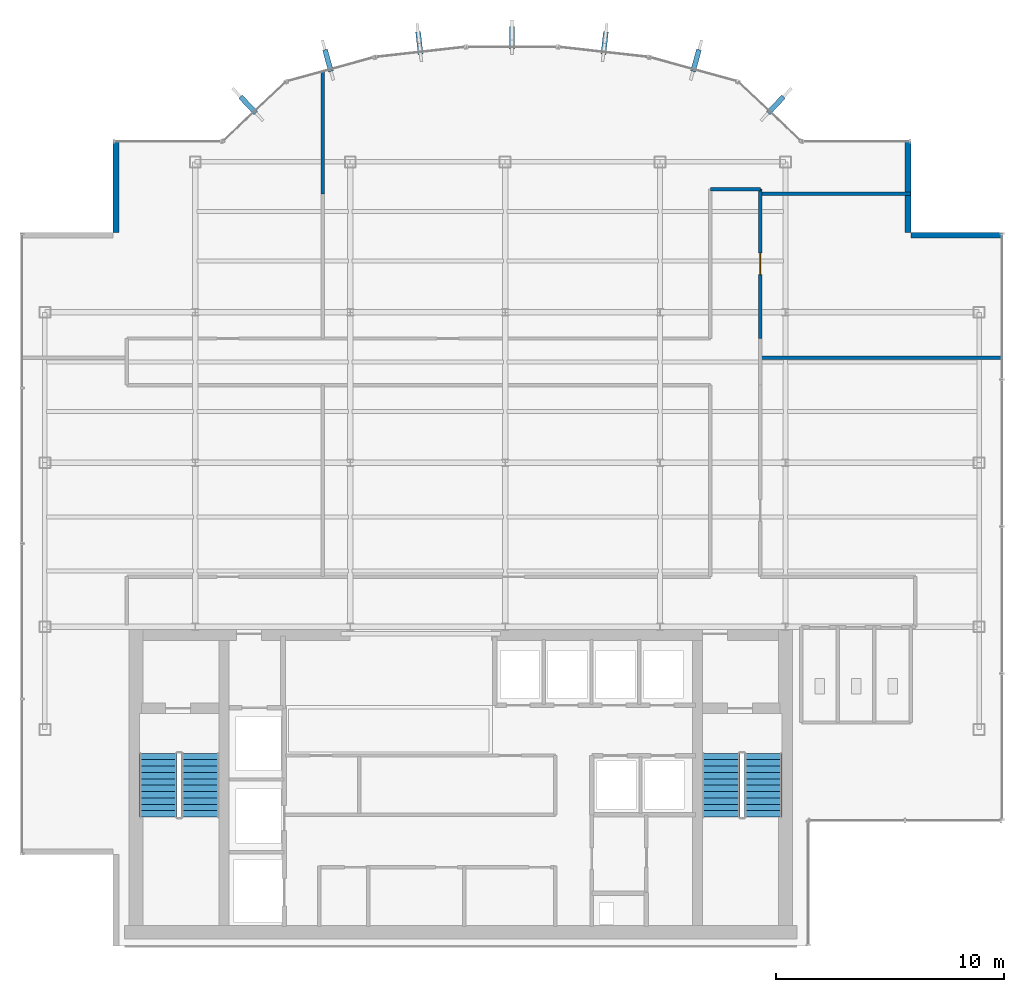
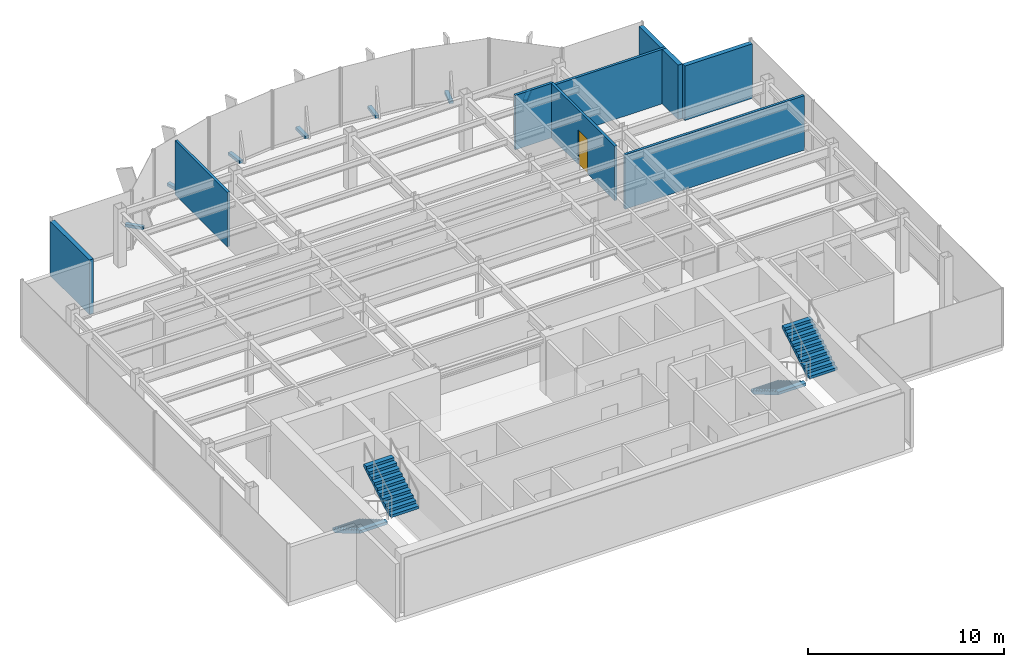
# One storey, part 19 of 22: 8 walls, 7 discrete accessories, 4 stair flights, 1 door, 1 opening, 2 elements without a shape of their own.
"""IFC4 building model written with IfcOpenShell, lengths in metres."""

import ifcopenshell
import ifcopenshell.guid

model = None  # the IFC model being written
_history = None  # IfcOwnerHistory: only IFC2X3 demands one
_inside = {}  # id of a spatial element -> (the spatial element, [elements in it])
_under = {}  # id of a project, library or spatial element -> (it, [spatial elements below it])
_declared = {}  # id of a project -> (the project, [libraries it declares])
_typed = {}  # id of a type object -> (the type object, [elements of that type])
_made_of = {}  # id of a material, layer set ... -> (it, [elements and type objects made of it])


def new_model(schema):
    """Start an empty IFC model of exactly this schema.

    Asked for "IFC4X3", IfcOpenShell would pick the latest addendum, in which some entities
    have other attributes; the version numbers below select the first issue.
    IFC2X3 requires an IfcOwnerHistory on every rooted entity: one is made here for all.
    """
    global model, _history
    if schema == "IFC4X3":
        model = ifcopenshell.file(schema_version=(4, 3, 0, 0))
    else:
        model = ifcopenshell.file(schema=schema)
    _inside.clear()
    _under.clear()
    _declared.clear()
    _typed.clear()
    _made_of.clear()
    _history = None
    if model.schema == "IFC2X3":
        org = make("IfcOrganization", Name="unknown")
        user = make(
            "IfcPersonAndOrganization",
            ThePerson=make("IfcPerson", FamilyName="unknown"),
            TheOrganization=org,
        )
        app = make(
            "IfcApplication",
            ApplicationDeveloper=org,
            Version="unknown",
            ApplicationFullName="unknown",
            ApplicationIdentifier="unknown",
        )
        _history = make(
            "IfcOwnerHistory",
            OwningUser=user,
            OwningApplication=app,
            ChangeAction="ADDED",
            CreationDate=0,
        )
    return model


def make(cls, **values):
    """One entity of the class cls with the attributes given. An attribute that is None is left unset."""
    return model.create_entity(
        cls, **{name: value for name, value in values.items() if value is not None}
    )


def rooted(cls, **values):
    """An entity with a GlobalId (a new one), such as an element, a storey or a relation."""
    return make(cls, GlobalId=ifcopenshell.guid.new(), OwnerHistory=_history, **values)


def si_unit(unit_type, name, prefix=None):
    """IfcSIUnit, for example si_unit("LENGTHUNIT", "METRE", prefix="MILLI")."""
    return make("IfcSIUnit", UnitType=unit_type, Prefix=prefix, Name=name)


def derived_unit(unit_type, elements):
    """IfcDerivedUnit: a product of units, each with its exponent."""
    return make(
        "IfcDerivedUnit",
        Elements=[
            make("IfcDerivedUnitElement", Unit=unit, Exponent=power)
            for unit, power in elements
        ],
        UnitType=unit_type,
    )


def assignment(units):
    """IfcUnitAssignment: the units of a project."""
    return None if units is None else make("IfcUnitAssignment", Units=units)


def point(xyz):
    """IfcCartesianPoint."""
    return None if xyz is None else make("IfcCartesianPoint", Coordinates=xyz)


def direction(xyz):
    """IfcDirection."""
    return None if xyz is None else make("IfcDirection", DirectionRatios=xyz)


def frame(location, z_axis=None, x_axis=None):
    """IfcAxis2Placement3D, a coordinate frame: its origin and axes. An axis left out is left unset."""
    return make(
        "IfcAxis2Placement3D",
        Location=point(location),
        Axis=direction(z_axis),
        RefDirection=direction(x_axis),
    )


def frame_2d(location, x_axis=None):
    """IfcAxis2Placement2D, a coordinate frame in the plane: its origin and x axis."""
    return make(
        "IfcAxis2Placement2D", Location=point(location), RefDirection=direction(x_axis)
    )


def origin():
    """The frame at (0, 0, 0) with its axes left unset."""
    return frame((0.0, 0.0, 0.0))


def origin_2d():
    """The frame at (0, 0) in the plane with its x axis left unset."""
    return frame_2d((0.0, 0.0))


def place(relative_to, where):
    """IfcLocalPlacement: puts the frame where relative to a parent placement (None: the world)."""
    return make(
        "IfcLocalPlacement", PlacementRelTo=relative_to, RelativePlacement=where
    )


def context(
    kind, dimensions, precision=None, world=None, true_north=None, identifier=None
):
    """IfcGeometricRepresentationContext, for example the 3D "Model" context."""
    return make(
        "IfcGeometricRepresentationContext",
        ContextIdentifier=identifier,
        ContextType=kind,
        CoordinateSpaceDimension=dimensions,
        Precision=precision,
        WorldCoordinateSystem=world,
        TrueNorth=true_north,
    )


def subcontext(parent, identifier, kind, view, scale=None):
    """IfcGeometricRepresentationSubContext, for example "Body" below "Model"."""
    return make(
        "IfcGeometricRepresentationSubContext",
        ContextIdentifier=identifier,
        ContextType=kind,
        ParentContext=parent,
        TargetScale=scale,
        TargetView=view,
    )


def project(units=None, contexts=None):
    """IfcProject with its units and contexts."""
    return rooted(
        "IfcProject",
        Name="project",
        RepresentationContexts=contexts,
        UnitsInContext=assignment(units),
    )


def spatial(cls, under=None, at=None, **own):
    """A site, building, storey or space (cls), placed at a placement, below another one or the project."""
    s = rooted(cls, ObjectPlacement=at, **own)
    if under is not None:
        _under.setdefault(under.id(), (under, []))[1].append(s)
    return s


def polyline(points):
    """IfcPolyline through the points."""
    return make("IfcPolyline", Points=[point(p) for p in points])


def profile(cls, at=None, kind="AREA", **sizes):
    """A parametric profile (cls). Its sizes go by their IFC names, for example OverallWidth=200.0."""
    return make(cls, ProfileType=kind, Position=at, **sizes)


def rectangle(**sizes):
    """IfcRectangleProfileDef."""
    return profile("IfcRectangleProfileDef", **sizes)


def outline(outer, holes=None, kind="AREA"):
    """IfcArbitraryClosedProfileDef: a profile drawn as a closed curve; with holes, ...WithVoids."""
    if holes is None:
        return make("IfcArbitraryClosedProfileDef", ProfileType=kind, OuterCurve=outer)
    return make(
        "IfcArbitraryProfileDefWithVoids",
        ProfileType=kind,
        OuterCurve=outer,
        InnerCurves=holes,
    )


def extrude(swept, where, along, depth):
    """IfcExtrudedAreaSolid: the profile swept, set in the frame where, extruded along a direction by depth."""
    return make(
        "IfcExtrudedAreaSolid",
        SweptArea=swept,
        Position=where,
        ExtrudedDirection=direction(along),
        Depth=depth,
    )


def shape(context_of_items, identifier, shape_type, items):
    """IfcShapeRepresentation: the items that make up one representation, for example the "Body"."""
    return make(
        "IfcShapeRepresentation",
        ContextOfItems=context_of_items,
        RepresentationIdentifier=identifier,
        RepresentationType=shape_type,
        Items=items,
    )


def source(mapping_origin, context_of_items, identifier, shape_type, items):
    """IfcRepresentationMap: a shape defined once, which mapped items show again and again."""
    return make(
        "IfcRepresentationMap",
        MappingOrigin=mapping_origin,
        MappedRepresentation=shape(context_of_items, identifier, shape_type, items),
    )


def transform(
    local_origin,
    x_axis=None,
    y_axis=None,
    z_axis=None,
    scale=None,
    scale2=None,
    scale3=None,
    uniform=True,
):
    """IfcCartesianTransformationOperator3D, or its non-uniform kind. x_axis, y_axis, z_axis: its Axis1, 2, 3."""
    if uniform:
        return make(
            "IfcCartesianTransformationOperator3D",
            Axis1=direction(x_axis),
            Axis2=direction(y_axis),
            LocalOrigin=point(local_origin),
            Scale=scale,
            Axis3=direction(z_axis),
        )
    return make(
        "IfcCartesianTransformationOperator3DnonUniform",
        Axis1=direction(x_axis),
        Axis2=direction(y_axis),
        LocalOrigin=point(local_origin),
        Scale=scale,
        Axis3=direction(z_axis),
        Scale2=scale2,
        Scale3=scale3,
    )


def mapped(mapping_source, mapping_target):
    """IfcMappedItem: shows the shape of a source again, moved by a transform."""
    return make(
        "IfcMappedItem", MappingSource=mapping_source, MappingTarget=mapping_target
    )


def material(Name=None, Category=None):
    """IfcMaterial."""
    return make("IfcMaterial", Name=Name, Category=Category)


def layer(
    of_material, thickness, ventilated=None, Name=None, Category=None, Priority=None
):
    """IfcMaterialLayer: one layer of a wall or slab, of a material (None: an air gap)."""
    return make(
        "IfcMaterialLayer",
        Material=of_material,
        LayerThickness=thickness,
        IsVentilated=ventilated,
        Name=Name,
        Category=Category,
        Priority=Priority,
    )


def layer_set(layers, Name=None):
    """IfcMaterialLayerSet."""
    return make("IfcMaterialLayerSet", MaterialLayers=layers, LayerSetName=Name)


def made_of(thing, what):
    """Note that an element or type object is made of a material, layer set ...; save() writes the relation."""
    if what is not None:
        _made_of.setdefault(what.id(), (what, []))[1].append(thing)
    return thing


def type_object(cls, material=None, **own):
    """A type object (cls), such as IfcWallType, which elements share."""
    return made_of(rooted(cls, **own), material)


def element(
    cls,
    number,
    at=None,
    inside=None,
    cuts=None,
    type_object=None,
    material=None,
    context=None,
    identifier="Body",
    shape_type=None,
    held_by="IfcProductDefinitionShape",
    body=None,
    shapes=None,
    **own,
):
    """One element of the class cls, such as IfcWall. Its Tag is "e" and its number.

    at: its placement. inside: the storey or other place that contains it. cuts: it is an
    opening in that element (IfcRelVoidsElement). A single representation is given by context,
    identifier, shape_type and body (its items); several are given by shapes. held_by: the class
    of the entity that holds the representations. save() writes the other relations.
    """
    e = rooted(cls, Tag="e%d" % number, ObjectPlacement=at, **own)
    if body is not None:
        shapes = [shape(context, identifier, shape_type, body)]
    if shapes is not None:
        e.Representation = make(held_by, Representations=shapes)
    if inside is not None:
        _inside.setdefault(inside.id(), (inside, []))[1].append(e)
    if cuts is not None:
        rooted(
            "IfcRelVoidsElement", RelatingBuildingElement=cuts, RelatedOpeningElement=e
        )
    if type_object is not None:
        _typed.setdefault(type_object.id(), (type_object, []))[1].append(e)
    return made_of(e, material)


def fill(opening, filler):
    """IfcRelFillsElement: the door or window that sits in an opening."""
    return rooted(
        "IfcRelFillsElement",
        RelatingOpeningElement=opening,
        RelatedBuildingElement=filler,
    )


def aggregate(whole, parts):
    """IfcRelAggregates: a whole, such as a stair, and the parts it consists of."""
    return rooted("IfcRelAggregates", RelatingObject=whole, RelatedObjects=parts)


def save(model, path):
    """Write the relations noted so far, then the file.

    IfcRelAggregates (storeys below a building ...), IfcRelContainedInSpatialStructure (elements
    in a storey), IfcRelDefinesByType, IfcRelAssociatesMaterial and IfcRelDeclares: one each for
    every whole, place, type object, material and project.
    """
    for whole, parts in _under.values():
        aggregate(whole, parts)
    for where, things in _inside.values():
        rooted(
            "IfcRelContainedInSpatialStructure",
            RelatedElements=things,
            RelatingStructure=where,
        )
    for kind, things in _typed.values():
        rooted("IfcRelDefinesByType", RelatedObjects=things, RelatingType=kind)
    for what, things in _made_of.values():
        rooted("IfcRelAssociatesMaterial", RelatedObjects=things, RelatingMaterial=what)
    for by, libraries in _declared.values():
        rooted("IfcRelDeclares", RelatingContext=by, RelatedDefinitions=libraries)
    model.write(path)


model = new_model("IFC4")

# Units and contexts
model_context = context("Model", 3, precision=1e-05, world=origin(), true_north=direction((0.0, 1.0)))
body_context = subcontext(model_context, "Body", "Model", "MODEL_VIEW")
ifc_project = project(units=[si_unit("LENGTHUNIT", "METRE"), si_unit("AREAUNIT", "SQUARE_METRE"), si_unit("VOLUMEUNIT", "CUBIC_METRE"), si_unit("PLANEANGLEUNIT", "RADIAN"), si_unit("MASSUNIT", "GRAM", prefix="KILO"), derived_unit("THERMALTRANSMITTANCEUNIT", [(si_unit("POWERUNIT", "WATT"), 1), (si_unit("LENGTHUNIT", "METRE"), -2), (si_unit("THERMODYNAMICTEMPERATUREUNIT", "KELVIN"), -1)])], contexts=[model_context])

# Site, building, storey
site_placement = place(None, origin())
site = spatial("IfcSite", under=ifc_project, at=site_placement, CompositionType="ELEMENT")
building_placement = place(site_placement, origin())
building = spatial("IfcBuilding", under=site, at=building_placement, Name="Skarnbrae Concourse Arena and Tower", CompositionType="ELEMENT")
storey_placement = place(building_placement, frame((0.0, 0.0, 221.449951171875)))
storey = spatial("IfcBuildingStorey", under=building, at=storey_placement, Name="L57", CompositionType="ELEMENT", Elevation=221.449951171875)

# Walls
ifc_material_1 = material(Name="Precast concrete 40 MPa (C40/50)", Category="concrete")
ifc_layer_1 = layer(ifc_material_1, 0.25)
ifc_layer_set_1 = layer_set([ifc_layer_1], Name="Precast concrete 40 MPa (C40/50)")
wall_type_1 = type_object("IfcWallType", Name="WALL-EXT-SPANDREL-250", PredefinedType="STANDARD", material=ifc_layer_set_1)
shared_shape_1 = source(origin(), body_context, "Body", "SweptSolid", [
    extrude(rectangle(XDim=4.0, YDim=0.25, at=frame_2d((2.0, 0.0))), origin(), (0.0, 0.0, 1.0), 3.400146484375),
])
for number, where, z_axis, x_axis, name in (
    (1, (43.0, 31.175048828125, 0.0), (0.0, 0.0, 1.0), (-1.0, 0.0, 0.0), "L57 Notched corner insulated return wall 05"),
    (2, (38.875, 31.300048828125, 0.0), (0.0, 0.0, 1.0), (0.0, 1.0, 0.0), "L57 Notched corner insulated return wall 06"),
    (3, (4.125, 35.300048828125, 0.0), (0.0, 0.0, 1.0), (0.0, -1.0, 0.0), "L57 Notched corner insulated return wall 16"),
):
    element("IfcWall", number, at=place(storey_placement, frame(where, z_axis=z_axis, x_axis=x_axis)), inside=storey, type_object=wall_type_1, Name=name, PredefinedType="STANDARD", context=body_context, shape_type="MappedRepresentation", body=[
        mapped(shared_shape_1, transform((0.0, 0.0, 0.0))),
    ])
ifc_material_2 = material(Name="Gypsum board on cold-formed steel studs", Category="steel")
ifc_layer_2 = layer(ifc_material_2, 0.14990234375)
ifc_layer_set_2 = layer_set([ifc_layer_2], Name="Gypsum board on cold-formed steel studs")
wall_type_2 = type_object("IfcWallType", Name="WALL-PART-150-1HR", PredefinedType="PARTITIONING", material=ifc_layer_set_2)
shared_shape_2 = source(origin(), body_context, "Body", "SweptSolid", [
    extrude(rectangle(XDim=2.199951171875, YDim=0.14990234375, at=frame_2d((1.10009765625, 0.0))), origin(), (0.0, 0.0, 1.0), 3.400146484375),
])
wall_1_placement = place(storey_placement, frame((30.199951171875, 33.199951171875, 0.0), z_axis=(0.0, 0.0, 1.0), x_axis=(1.0, 0.0, 0.0)))
element("IfcWall", 4, at=wall_1_placement, inside=storey, type_object=wall_type_2, Name="L57 Interior partition wall W-L57-COR-08", PredefinedType="PARTITIONING", context=body_context, shape_type="MappedRepresentation", body=[
    mapped(shared_shape_2, transform((0.0, 0.0, 0.0))),
])

# Wall, opening, door
shared_shape_3 = source(origin(), body_context, "Body", "SweptSolid", [
    extrude(rectangle(XDim=6.550048828125, YDim=0.14990234375, at=frame_2d((3.27490234375, 0.0))), origin(), (0.0, 0.0, 1.0), 3.400146484375),
])
wall_2_placement = place(storey_placement, frame((32.39990234375, 33.199951171875, 0.0), z_axis=(0.0, 0.0, 1.0), x_axis=(0.0, -1.0, 0.0)))
wall_2 = element("IfcWall", 5, at=wall_2_placement, inside=storey, type_object=wall_type_2, Name="L57 Interior partition wall W-L57-COR-09", PredefinedType="PARTITIONING", context=body_context, shape_type="MappedRepresentation", body=[
    mapped(shared_shape_3, transform((0.0, 0.0, 0.0))),
])
opening_placement = place(wall_2_placement, frame((2.800048828125, 0.0, 0.0)))
opening = element("IfcOpeningElement", 6, at=opening_placement, cuts=wall_2, Name="Opening DT-04", PredefinedType="OPENING", context=body_context, shape_type="SweptSolid", body=[
    extrude(rectangle(XDim=0.949951171875, YDim=2.14990234375, at=frame_2d((0.47509765625, 1.074951171875))), frame((0.0, 0.0849609375, 0.0), z_axis=(0.0, -1.0, 0.0), x_axis=(1.0, 0.0, 0.0)), (0.0, 0.0, 1.0), 0.169921875),
])
ifc_material_3 = material(Name="Steel CSA G40.21 350W", Category="steel")
door_type = type_object("IfcDoorType", Name="DOOR-INT-950-45M", OperationType="NOTDEFINED", PredefinedType="DOOR", material=ifc_material_3)
shared_shape_4 = source(origin(), body_context, "Body", "SweptSolid", [
    extrude(rectangle(XDim=0.949951171875, YDim=2.14990234375, at=frame_2d((0.47509765625, 1.074951171875))), frame((0.0, 0.02490234375, 0.0), z_axis=(0.0, -1.0, 0.0), x_axis=(1.0, 0.0, 0.0)), (0.0, 0.0, 1.0), 0.050048828125),
])
door_placement = place(opening_placement, origin())
door = element("IfcDoor", 7, at=door_placement, inside=storey, type_object=door_type, Name="D-1758 L57 Suite Door 05", OperationType="SINGLE_SWING_LEFT", OverallHeight=2.14990234375, OverallWidth=0.949951171875, PredefinedType="DOOR", context=body_context, shape_type="MappedRepresentation", body=[
    mapped(shared_shape_4, transform((0.0, 0.0, 0.0))),
])
fill(opening, door)

# Walls
ifc_layer_3 = layer(ifc_material_2, 0.14990234375)
ifc_layer_set_3 = layer_set([ifc_layer_3], Name="Gypsum board on cold-formed steel studs")
wall_type_3 = type_object("IfcWallType", Name="WALL-PART-150", PredefinedType="PARTITIONING", material=ifc_layer_set_3)
shared_shape_5 = source(origin(), body_context, "Body", "SweptSolid", [
    extrude(rectangle(XDim=5.349609375, YDim=0.14990234375, at=frame_2d((2.6748046875, 0.0))), origin(), (0.0, 0.0, 1.0), 3.400146484375),
])
wall_3_placement = place(storey_placement, frame((13.199951171875, 38.349609375, 0.0), z_axis=(0.0, 0.0, 1.0), x_axis=(0.0, -1.0, 0.0)))
element("IfcWall", 8, at=wall_3_placement, inside=storey, type_object=wall_type_3, Name="L57 Interior partition wall W-L57-DEM-17", PredefinedType="PARTITIONING", context=body_context, shape_type="MappedRepresentation", body=[
    mapped(shared_shape_5, transform((0.0, 0.0, 0.0))),
])
shared_shape_6 = source(origin(), body_context, "Body", "SweptSolid", [
    extrude(rectangle(XDim=10.580078125, YDim=0.14990234375, at=frame_2d((5.2900390625, 0.0))), origin(), (0.0, 0.0, 1.0), 3.400146484375),
])
wall_4_placement = place(storey_placement, frame((42.97998046875, 25.800048828125, 0.0), z_axis=(0.0, 0.0, 1.0), x_axis=(-1.0, 0.0, 0.0)))
element("IfcWall", 9, at=wall_4_placement, inside=storey, type_object=wall_type_3, Name="L57 Interior partition wall W-L57-DEM-19", PredefinedType="PARTITIONING", context=body_context, shape_type="MappedRepresentation", body=[
    mapped(shared_shape_6, transform((0.0, 0.0, 0.0))),
])
shared_shape_7 = source(origin(), body_context, "Body", "SweptSolid", [
    extrude(rectangle(XDim=6.580078125, YDim=0.14990234375, at=frame_2d((3.2900390625, 0.0))), origin(), (0.0, 0.0, 1.0), 3.400146484375),
])
wall_5_placement = place(storey_placement, frame((38.97998046875, 33.0, 0.0), z_axis=(0.0, 0.0, 1.0), x_axis=(-1.0, 0.0, 0.0)))
element("IfcWall", 10, at=wall_5_placement, inside=storey, type_object=wall_type_3, Name="L57 Interior partition wall W-L57-DEM-20", PredefinedType="PARTITIONING", context=body_context, shape_type="MappedRepresentation", body=[
    mapped(shared_shape_7, transform((0.0, 0.0, 0.0))),
])

# Stair, stair flights
ifc_material_4 = material(Name="Concrete 40 MPa (C40/50)", Category="concrete")
stair_type = type_object("IfcStairType", Name="STAIR-DOGLEG-1650", PredefinedType="HALF_TURN_STAIR", material=ifc_material_4)
stair_1_placement = place(storey_placement, origin())
stair_1 = element("IfcStair", 11, at=stair_1_placement, inside=storey, type_object=stair_type, Name="L57 Protected Exit Stair ST-1", PredefinedType="HALF_TURN_STAIR")
stair_flight_type = type_object("IfcStairFlightType", Name="FLIGHT-STRAIGHT-1650", PredefinedType="STRAIGHT", material=ifc_material_4)
shared_shape_8 = source(origin(), body_context, "Body", "SweptSolid", [
    extrude(outline(polyline([(0.0, 0.0), (0.0, 0.166015625), (0.280029296875, 0.166015625), (0.280029296875, 0.331787109375), (0.56005859375, 0.331787109375), (0.56005859375, 0.497802734375), (0.840087890625, 0.497802734375), (0.840087890625, 0.66357421875), (1.1201171875, 0.66357421875), (1.1201171875, 0.82958984375), (1.39990234375, 0.82958984375), (1.39990234375, 0.995361328125), (1.679931640625, 0.995361328125), (1.679931640625, 1.161376953125), (1.9599609375, 1.161376953125), (1.9599609375, 1.327392578125), (2.239990234375, 1.327392578125), (2.239990234375, 1.4931640625), (2.52001953125, 1.4931640625), (2.52001953125, 1.6591796875), (2.800048828125, 1.6591796875), (2.800048828125, 1.824951171875), (2.800048828125, 1.48486328125), (0.2939453125, 0.0), (0.0, 0.0)])), frame((0.0, 0.824951171875, 0.0), z_axis=(0.0, -1.0, 0.0), x_axis=(1.0, 0.0, 0.0)), (0.0, 0.0, 1.0), 1.64990234375),
])
stair_flight_1_placement = place(storey_placement, frame((5.97509765625, 8.449951171875, 0.0), z_axis=(0.0, 0.0, 1.0), x_axis=(0.0, -1.0, 0.0)))
stair_flight_1 = element("IfcStairFlight", 12, at=stair_flight_1_placement, type_object=stair_flight_type, Name="ST-1 flight 1", NumberOfRisers=11, NumberOfTreads=10, PredefinedType="STRAIGHT", RiserHeight=0.165909091, TreadLength=0.28, context=body_context, shape_type="MappedRepresentation", body=[
    mapped(shared_shape_8, transform((0.0, 0.0, 0.0))),
])
stair_flight_2_placement = place(storey_placement, frame((7.824951171875, 5.64990234375, 1.824951171875), z_axis=(0.0, 0.0, 1.0), x_axis=(0.0, 1.0, 0.0)))
stair_flight_2 = element("IfcStairFlight", 13, at=stair_flight_2_placement, type_object=stair_flight_type, Name="ST-1 flight 2", NumberOfRisers=11, NumberOfTreads=10, PredefinedType="STRAIGHT", RiserHeight=0.165909091, TreadLength=0.28, context=body_context, shape_type="MappedRepresentation", body=[
    mapped(shared_shape_8, transform((0.0, 0.0, 0.0))),
])
aggregate(stair_1, [stair_flight_1, stair_flight_2])

stair_2_placement = place(storey_placement, origin())
stair_2 = element("IfcStair", 14, at=stair_2_placement, inside=storey, type_object=stair_type, Name="L57 Protected Exit Stair ST-2", PredefinedType="HALF_TURN_STAIR")
stair_flight_3_placement = place(storey_placement, frame((30.675048828125, 8.449951171875, 0.0), z_axis=(0.0, 0.0, 1.0), x_axis=(0.0, -1.0, 0.0)))
stair_flight_3 = element("IfcStairFlight", 15, at=stair_flight_3_placement, type_object=stair_flight_type, Name="ST-2 flight 1", NumberOfRisers=11, NumberOfTreads=10, PredefinedType="STRAIGHT", RiserHeight=0.165909091, TreadLength=0.28, context=body_context, shape_type="MappedRepresentation", body=[
    mapped(shared_shape_8, transform((0.0, 0.0, 0.0))),
])
stair_flight_4_placement = place(storey_placement, frame((32.52490234375, 5.64990234375, 1.824951171875), z_axis=(0.0, 0.0, 1.0), x_axis=(0.0, 1.0, 0.0)))
stair_flight_4 = element("IfcStairFlight", 16, at=stair_flight_4_placement, type_object=stair_flight_type, Name="ST-2 flight 2", NumberOfRisers=11, NumberOfTreads=10, PredefinedType="STRAIGHT", RiserHeight=0.165909091, TreadLength=0.28, context=body_context, shape_type="MappedRepresentation", body=[
    mapped(shared_shape_8, transform((0.0, 0.0, 0.0))),
])
aggregate(stair_2, [stair_flight_3, stair_flight_4])

# Discrete accessories
ifc_material_5 = material(Name="Bronze anodised aluminium 6063-T6", Category="aluminium")
discrete_accessory_type = type_object("IfcDiscreteAccessoryType", Name="ACC-FIN-BRACKET", PredefinedType="BRACKET", material=ifc_material_5)
shared_shape_9 = source(origin(), body_context, "Body", "SweptSolid", [
    extrude(rectangle(XDim=0.219970703125, YDim=0.97998046875, at=origin_2d()), origin(), (0.0, 0.0, 1.0), 0.179931640625),
])
for number, where, z_axis, x_axis, name in (
    (17, (33.0791015625, 36.904541015625, -0.02978515625), (0.0, 0.0, 1.0), (0.728131751529, -0.685437198009, 0.0), "L57 Bronze fin foot support bracket 08"),
    (18, (29.573974609375, 38.847412109375, -0.02978515625), (0.0, 0.0, 1.0), (0.964058316208, -0.265690728011, 0.0), "L57 Bronze fin foot support bracket 09"),
    (19, (25.566162109375, 39.619384765625, -0.02978515625), (0.0, 0.0, 1.0), (0.993769864509, -0.111451587667, 0.0), "L57 Bronze fin foot support bracket 10"),
    (20, (21.5, 39.8466796875, -0.02978515625), (0.0, 0.0, 1.0), (1.0, 0.0, 0.0), "L57 Bronze fin foot support bracket 11"),
    (21, (17.433837890625, 39.619384765625, -0.02978515625), (0.0, 0.0, 1.0), (0.993769864509, 0.111451587667, 0.0), "L57 Bronze fin foot support bracket 12"),
    (22, (13.426025390625, 38.847412109375, -0.02978515625), (0.0, 0.0, 1.0), (0.964058316208, 0.265690728011, 0.0), "L57 Bronze fin foot support bracket 13"),
    (23, (9.9208984375, 36.904541015625, -0.02978515625), (0.0, 0.0, 1.0), (0.728131751529, 0.685437198009, 0.0), "L57 Bronze fin foot support bracket 14"),
):
    element("IfcDiscreteAccessory", number, at=place(storey_placement, frame(where, z_axis=z_axis, x_axis=x_axis)), inside=storey, type_object=discrete_accessory_type, Name=name, PredefinedType="BRACKET", context=body_context, shape_type="MappedRepresentation", body=[
        mapped(shared_shape_9, transform((0.0, 0.0, 0.0))),
    ])

save(model, "model.ifc")
